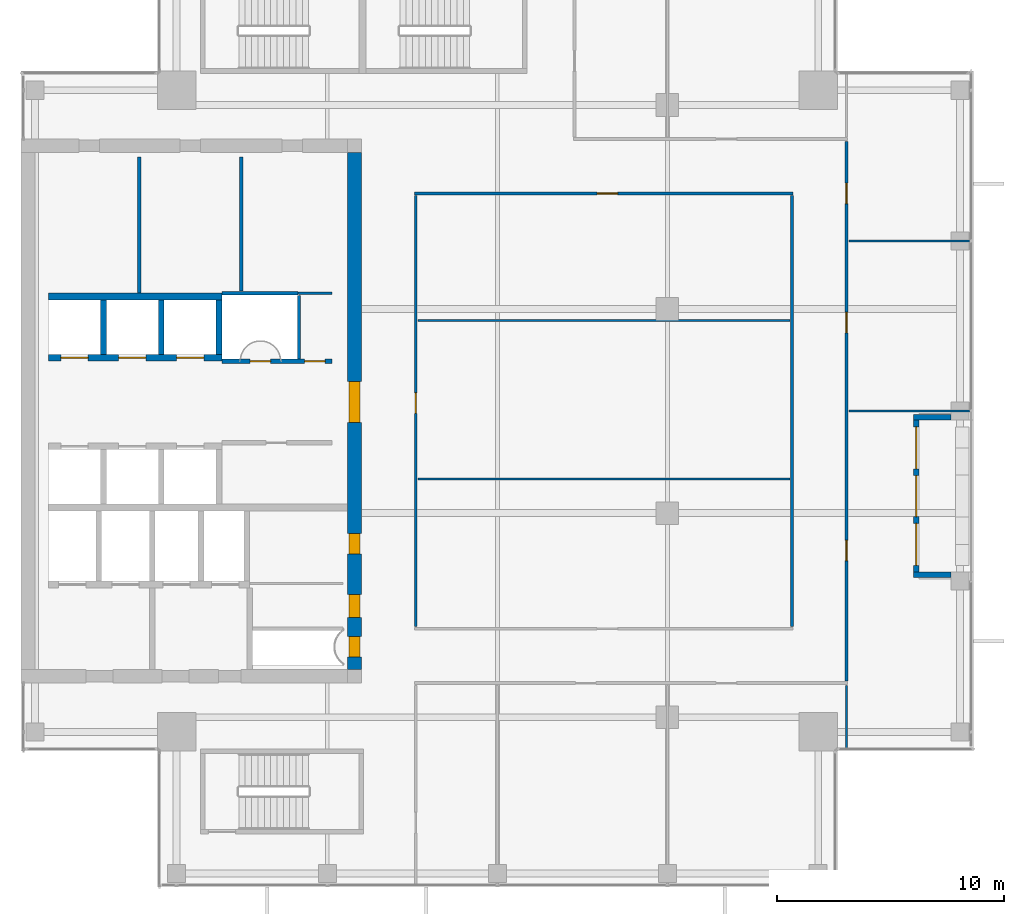
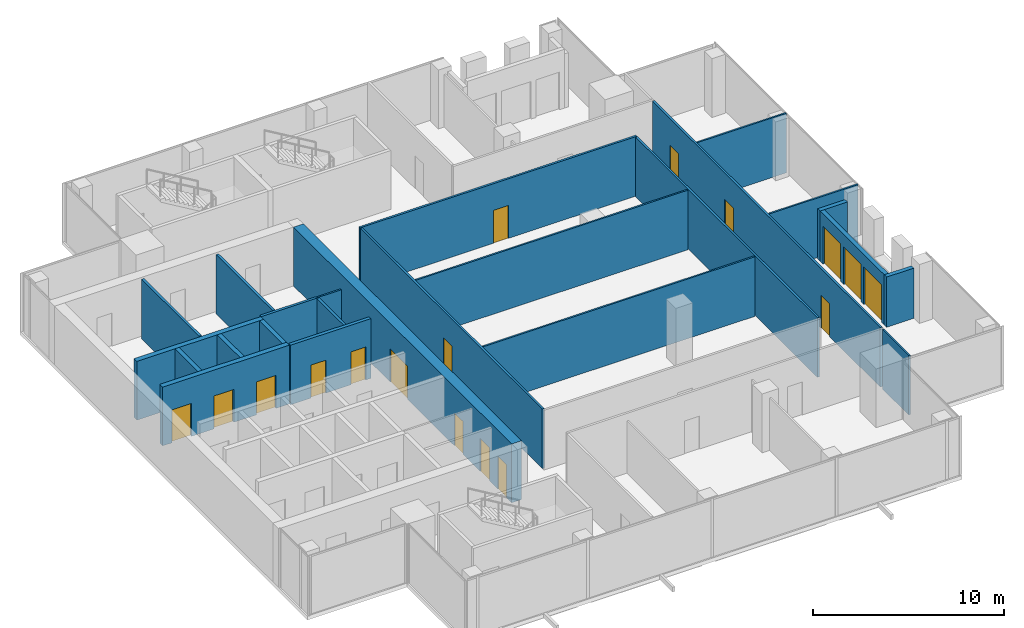
# One storey, part 25 of 29: 24 walls, 15 doors, 2 windows, 17 openings.
"""IFC4 building model written with IfcOpenShell, lengths in metres."""

from ifc_helpers import new_model, si_unit, direction, frame, frame_2d, origin, place, context, subcontext, project, spatial, rectangle, extrude, source, transform, mapped, material, layer, layer_set, type_object, element, fill, save


model = new_model("IFC4")

# Units and contexts
model_context = context("Model", 3, precision=1e-05, world=origin(), true_north=direction((0.0, 1.0)))
body_context = subcontext(model_context, "Body", "Model", "MODEL_VIEW")
ifc_project = project(units=[si_unit("LENGTHUNIT", "METRE"), si_unit("AREAUNIT", "SQUARE_METRE"), si_unit("VOLUMEUNIT", "CUBIC_METRE"), si_unit("PLANEANGLEUNIT", "RADIAN"), si_unit("MASSUNIT", "GRAM", prefix="KILO")], contexts=[model_context])

# Site, building, storey
site_placement = place(None, origin())
site = spatial("IfcSite", under=ifc_project, at=site_placement, CompositionType="ELEMENT")
building_placement = place(site_placement, origin())
building = spatial("IfcBuilding", under=site, at=building_placement, Name="Khomas Fold Tower", CompositionType="ELEMENT")
storey_placement = place(building_placement, frame((0.0, 0.0, 290.199951171875)))
storey = spatial("IfcBuildingStorey", under=building, at=storey_placement, Name="L65", CompositionType="ELEMENT", Elevation=290.199951171875)

# Walls
ifc_material_1 = material(Name="Concrete C50/60", Category="concrete")
ifc_layer_1 = layer(ifc_material_1, 0.25)
ifc_layer_set_1 = layer_set([ifc_layer_1], Name="Concrete C50/60")
wall_type_1 = type_object("IfcWallType", Name="Shaft wall 250", PredefinedType="STANDARD", material=ifc_layer_set_1)
shared_shape_1 = source(origin(), body_context, "Body", "SweptSolid", [
    extrude(rectangle(XDim=2.39990234375, YDim=0.25, at=frame_2d((1.199951171875, 0.0))), origin(), (0.0, 0.0, 1.0), 3.75),
])
for number, where, z_axis, x_axis, name in (
    (1, (9.625, 29.5, 0.0), (0.0, 0.0, 1.0), (0.0, 1.0, 0.0), "Core wall SW-HRN-P1"),
    (2, (12.175048828125, 29.5, 0.0), (0.0, 0.0, 1.0), (0.0, 1.0, 0.0), "Core wall SW-HRN-P2"),
    (3, (14.72509765625, 29.5, 0.0), (0.0, 0.0, 1.0), (0.0, 1.0, 0.0), "Core wall SW-HRN-PE"),
):
    element("IfcWall", number, at=place(storey_placement, frame(where, z_axis=z_axis, x_axis=x_axis)), inside=storey, type_object=wall_type_1, Name=name, PredefinedType="STANDARD", context=body_context, shape_type="MappedRepresentation", body=[
        mapped(shared_shape_1, transform((0.0, 0.0, 0.0))),
    ])

# Wall, openings, doors
ifc_material_2 = material(Name="Concrete C50/60", Category="concrete")
ifc_layer_2 = layer(ifc_material_2, 0.60009765625)
ifc_layer_set_2 = layer_set([ifc_layer_2], Name="Concrete C50/60")
wall_type_2 = type_object("IfcWallType", Name="Core wall 600", PredefinedType="SHEAR", material=ifc_layer_set_2)
shared_shape_2 = source(origin(), body_context, "Body", "SweptSolid", [
    extrude(rectangle(XDim=22.7998046875, YDim=0.60009765625, at=frame_2d((11.39990234375, 0.0))), origin(), (0.0, 0.0, 1.0), 3.75),
])
wall_1_placement = place(storey_placement, frame((20.699951171875, 15.60009765625, 0.0), z_axis=(0.0, 0.0, 1.0), x_axis=(0.0, 1.0, 0.0)))
wall_1 = element("IfcWall", 4, at=wall_1_placement, inside=storey, type_object=wall_type_2, Name="Core wall CW-U-E-L63", PredefinedType="SHEAR", context=body_context, shape_type="MappedRepresentation", body=[
    mapped(shared_shape_2, transform((0.0, 0.0, 0.0))),
])
shared_shape_3 = source(origin(), body_context, "Body", "SweptSolid", [
    extrude(rectangle(XDim=1.800048828125, YDim=2.10009765625, at=frame_2d((0.89990234375, 1.050048828125))), frame((0.0, 0.31005859375, 0.0), z_axis=(0.0, -1.0, 0.0), x_axis=(1.0, 0.0, 0.0)), (0.0, 0.0, 1.0), 0.6201171875),
])
opening_1_placement = place(wall_1_placement, frame((10.89990234375, 0.0, 0.0)))
opening_1 = element("IfcOpeningElement", 5, at=opening_1_placement, cuts=wall_1, Name="Opening 0015", PredefinedType="OPENING", context=body_context, shape_type="MappedRepresentation", body=[
    mapped(shared_shape_3, transform((0.0, 0.0, 0.0))),
])
shared_shape_4 = source(origin(), body_context, "Body", "SweptSolid", [
    extrude(rectangle(XDim=0.89990234375, YDim=2.10009765625, at=frame_2d((0.449951171875, 1.050048828125))), frame((0.0, 0.31005859375, 0.0), z_axis=(0.0, -1.0, 0.0), x_axis=(1.0, 0.0, 0.0)), (0.0, 0.0, 1.0), 0.6201171875),
])
opening_2_placement = place(wall_1_placement, frame((0.550048828125, 0.0, 0.0)))
opening_2 = element("IfcOpeningElement", 6, at=opening_2_placement, cuts=wall_1, Name="Opening 0003", PredefinedType="OPENING", context=body_context, shape_type="MappedRepresentation", body=[
    mapped(shared_shape_4, transform((0.0, 0.0, 0.0))),
])
shared_shape_5 = source(origin(), body_context, "Body", "SweptSolid", [
    extrude(rectangle(XDim=1.0, YDim=2.10009765625, at=frame_2d((0.5, 1.050048828125))), frame((0.0, 0.31005859375, 0.0), z_axis=(0.0, -1.0, 0.0), x_axis=(1.0, 0.0, 0.0)), (0.0, 0.0, 1.0), 0.6201171875),
])
opening_3_placement = place(wall_1_placement, frame((2.300048828125, 0.0, 0.0)))
opening_3 = element("IfcOpeningElement", 7, at=opening_3_placement, cuts=wall_1, Name="Opening 0006", PredefinedType="OPENING", context=body_context, shape_type="MappedRepresentation", body=[
    mapped(shared_shape_5, transform((0.0, 0.0, 0.0))),
])
opening_4_placement = place(wall_1_placement, frame((5.10009765625, 0.0, 0.0)))
opening_4 = element("IfcOpeningElement", 8, at=opening_4_placement, cuts=wall_1, Name="Opening 0008", PredefinedType="OPENING", context=body_context, shape_type="MappedRepresentation", body=[
    mapped(shared_shape_4, transform((0.0, 0.0, 0.0))),
])
ifc_material_3 = material(Name="Steel door leaf", Category="steel")
door_type_1 = type_object("IfcDoorType", Name="Lobby door 1800x2100", OperationType="DOUBLE_DOOR_SINGLE_SWING", PredefinedType="DOOR", material=ifc_material_3)
shared_shape_6 = source(origin(), body_context, "Body", "SweptSolid", [
    extrude(rectangle(XDim=1.800048828125, YDim=2.10009765625, at=frame_2d((0.89990234375, 1.050048828125))), frame((0.0, 0.25, 0.0), z_axis=(0.0, -1.0, 0.0), x_axis=(1.0, 0.0, 0.0)), (0.0, 0.0, 1.0), 0.5),
])
door_1_placement = place(opening_1_placement, origin())
door_1 = element("IfcDoor", 9, at=door_1_placement, inside=storey, type_object=door_type_1, Name="Lobby door", OperationType="DOUBLE_DOOR_SINGLE_SWING", OverallHeight=2.10009765625, OverallWidth=1.800048828125, PredefinedType="DOOR", context=body_context, shape_type="MappedRepresentation", body=[
    mapped(shared_shape_6, transform((0.0, 0.0, 0.0))),
])
fill(opening_1, door_1)
ifc_material_4 = material(Name="Steel door leaf", Category="steel")
door_type_2 = type_object("IfcDoorType", Name="Plant room door 900x2100 right-hand", OperationType="SINGLE_SWING_RIGHT", PredefinedType="DOOR", material=ifc_material_4)
shared_shape_7 = source(origin(), body_context, "Body", "SweptSolid", [
    extrude(rectangle(XDim=0.89990234375, YDim=2.10009765625, at=frame_2d((0.449951171875, 1.050048828125))), frame((0.0, 0.25, 0.0), z_axis=(0.0, -1.0, 0.0), x_axis=(1.0, 0.0, 0.0)), (0.0, 0.0, 1.0), 0.5),
])
door_2_placement = place(opening_2_placement, origin())
door_2 = element("IfcDoor", 10, at=door_2_placement, inside=storey, type_object=door_type_2, Name="Plant room door", OperationType="SINGLE_SWING_RIGHT", OverallHeight=2.10009765625, OverallWidth=0.89990234375, PredefinedType="DOOR", context=body_context, shape_type="MappedRepresentation", body=[
    mapped(shared_shape_7, transform((0.0, 0.0, 0.0))),
])
fill(opening_2, door_2)
ifc_material_5 = material(Name="Timber door leaf", Category="wood")
door_type_3 = type_object("IfcDoorType", Name="Door 900x2100 right-hand", OperationType="SINGLE_SWING_RIGHT", PredefinedType="DOOR", material=ifc_material_5)
door_3_placement = place(opening_4_placement, origin())
door_3 = element("IfcDoor", 11, at=door_3_placement, inside=storey, type_object=door_type_3, Name="Door", OperationType="SINGLE_SWING_RIGHT", OverallHeight=2.10009765625, OverallWidth=0.89990234375, PredefinedType="DOOR", context=body_context, shape_type="MappedRepresentation", body=[
    mapped(shared_shape_7, transform((0.0, 0.0, 0.0))),
])
fill(opening_4, door_3)
ifc_material_6 = material(Name="Timber door leaf", Category="wood")
door_type_4 = type_object("IfcDoorType", Name="WC door 1000x2100 right-hand", OperationType="SINGLE_SWING_RIGHT", PredefinedType="DOOR", material=ifc_material_6)
shared_shape_8 = source(origin(), body_context, "Body", "SweptSolid", [
    extrude(rectangle(XDim=1.0, YDim=2.10009765625, at=frame_2d((0.5, 1.050048828125))), frame((0.0, 0.25, 0.0), z_axis=(0.0, -1.0, 0.0), x_axis=(1.0, 0.0, 0.0)), (0.0, 0.0, 1.0), 0.5),
])
door_4_placement = place(opening_3_placement, origin())
door_4 = element("IfcDoor", 12, at=door_4_placement, inside=storey, type_object=door_type_4, Name="WC door", OperationType="SINGLE_SWING_RIGHT", OverallHeight=2.10009765625, OverallWidth=1.0, PredefinedType="DOOR", context=body_context, shape_type="MappedRepresentation", body=[
    mapped(shared_shape_8, transform((0.0, 0.0, 0.0))),
])
fill(opening_3, door_4)

# Wall
ifc_material_7 = material(Name="Concrete C50/60", Category="concrete")
ifc_layer_3 = layer(ifc_material_7, 0.300048828125)
ifc_layer_set_3 = layer_set([ifc_layer_3], Name="Concrete C50/60")
wall_type_3 = type_object("IfcWallType", Name="Shaft wall 300", PredefinedType="STANDARD", material=ifc_layer_set_3)
shared_shape_9 = source(origin(), body_context, "Body", "SweptSolid", [
    extrude(rectangle(XDim=7.650146484375, YDim=0.300048828125, at=frame_2d((3.8251953125, 0.0))), origin(), (0.0, 0.0, 1.0), 3.75),
])
wall_2_placement = place(storey_placement, frame((7.199951171875, 32.050048828125, 0.0), z_axis=(0.0, 0.0, 1.0), x_axis=(1.0, 0.0, 0.0)))
element("IfcWall", 13, at=wall_2_placement, inside=storey, type_object=wall_type_3, Name="Core wall SW-HRN-B", PredefinedType="STANDARD", context=body_context, shape_type="MappedRepresentation", body=[
    mapped(shared_shape_9, transform((0.0, 0.0, 0.0))),
])

# Wall, openings, doors
wall_3_placement = place(storey_placement, frame((7.199951171875, 29.35009765625, 0.0), z_axis=(0.0, 0.0, 1.0), x_axis=(1.0, 0.0, 0.0)))
wall_3 = element("IfcWall", 14, at=wall_3_placement, inside=storey, type_object=wall_type_3, Name="Core wall SW-HRN-F", PredefinedType="STANDARD", context=body_context, shape_type="MappedRepresentation", body=[
    mapped(shared_shape_9, transform((0.0, 0.0, 0.0))),
])
shared_shape_10 = source(origin(), body_context, "Body", "SweptSolid", [
    extrude(rectangle(XDim=1.199951171875, YDim=2.10009765625, at=frame_2d((0.60009765625, 1.050048828125))), frame((0.0, 0.159912109375, 0.0), z_axis=(0.0, -1.0, 0.0), x_axis=(1.0, 0.0, 0.0)), (0.0, 0.0, 1.0), 0.320068359375),
])
opening_5_placement = place(wall_3_placement, frame((0.550048828125, 0.0, 0.0)))
opening_5 = element("IfcOpeningElement", 15, at=opening_5_placement, cuts=wall_3, Name="Opening LD-HR4", PredefinedType="OPENING", context=body_context, shape_type="MappedRepresentation", body=[
    mapped(shared_shape_10, transform((0.0, 0.0, 0.0))),
])
opening_6_placement = place(wall_3_placement, frame((3.10009765625, 0.0, 0.0)))
opening_6 = element("IfcOpeningElement", 16, at=opening_6_placement, cuts=wall_3, Name="Opening LD-HR5", PredefinedType="OPENING", context=body_context, shape_type="MappedRepresentation", body=[
    mapped(shared_shape_10, transform((0.0, 0.0, 0.0))),
])
opening_7_placement = place(wall_3_placement, frame((5.64990234375, 0.0, 0.0)))
opening_7 = element("IfcOpeningElement", 17, at=opening_7_placement, cuts=wall_3, Name="Opening LD-HR6", PredefinedType="OPENING", context=body_context, shape_type="MappedRepresentation", body=[
    mapped(shared_shape_10, transform((0.0, 0.0, 0.0))),
])
ifc_material_8 = material(Name="Steel door leaf", Category="steel")
door_type_5 = type_object("IfcDoorType", Name="Landing door 1200x2100", OperationType="DOUBLE_DOOR_SLIDING", PredefinedType="DOOR", material=ifc_material_8)
shared_shape_11 = source(origin(), body_context, "Body", "SweptSolid", [
    extrude(rectangle(XDim=1.199951171875, YDim=2.10009765625, at=frame_2d((0.60009765625, 1.050048828125))), frame((0.0, 0.02490234375, 0.0), z_axis=(0.0, -1.0, 0.0), x_axis=(1.0, 0.0, 0.0)), (0.0, 0.0, 1.0), 0.050048828125),
])
door_5_placement = place(opening_5_placement, origin())
door_5 = element("IfcDoor", 18, at=door_5_placement, inside=storey, type_object=door_type_5, Name="Lift landing door", OperationType="DOUBLE_DOOR_SLIDING", OverallHeight=2.10009765625, OverallWidth=1.199951171875, PredefinedType="DOOR", context=body_context, shape_type="MappedRepresentation", body=[
    mapped(shared_shape_11, transform((0.0, 0.0, 0.0))),
])
fill(opening_5, door_5)
door_6_placement = place(opening_6_placement, origin())
door_6 = element("IfcDoor", 19, at=door_6_placement, inside=storey, type_object=door_type_5, Name="Lift landing door", OperationType="DOUBLE_DOOR_SLIDING", OverallHeight=2.10009765625, OverallWidth=1.199951171875, PredefinedType="DOOR", context=body_context, shape_type="MappedRepresentation", body=[
    mapped(shared_shape_11, transform((0.0, 0.0, 0.0))),
])
fill(opening_6, door_6)
door_7_placement = place(opening_7_placement, origin())
door_7 = element("IfcDoor", 20, at=door_7_placement, inside=storey, type_object=door_type_5, Name="Lift landing door", OperationType="DOUBLE_DOOR_SLIDING", OverallHeight=2.10009765625, OverallWidth=1.199951171875, PredefinedType="DOOR", context=body_context, shape_type="MappedRepresentation", body=[
    mapped(shared_shape_11, transform((0.0, 0.0, 0.0))),
])
fill(opening_7, door_7)

# Wall, openings, door, windows
ifc_material_9 = material(Name="Natural stone", Category="masonry")
ifc_layer_4 = layer(ifc_material_9, 0.0400390625)
ifc_material_10 = material(Name="Mineral wool insulation", Category="insulation")
ifc_layer_5 = layer(ifc_material_10, 0.10009765625)
ifc_material_11 = material(Name="Masonry", Category="masonry")
ifc_layer_6 = layer(ifc_material_11, 0.110107421875)
ifc_layer_set_4 = layer_set([ifc_layer_4, ifc_layer_5, ifc_layer_6], Name="Stone-faced insulated masonry")
wall_type_4 = type_object("IfcWallType", Name="BL-Balcony wall", PredefinedType="SOLIDWALL", material=ifc_layer_set_4)
shared_shape_12 = source(origin(), body_context, "Body", "SweptSolid", [
    extrude(rectangle(XDim=6.7001953125, YDim=0.25, at=frame_2d((3.35009765625, 0.0))), origin(), (0.0, 0.0, 1.0), 3.199951171875),
])
wall_4_placement = place(storey_placement, frame((45.47509765625, 19.89990234375, 0.0), z_axis=(0.0, 0.0, 1.0), x_axis=(0.0, 1.0, 0.0)))
wall_4 = element("IfcWall", 21, at=wall_4_placement, inside=storey, type_object=wall_type_4, Name="Balcony wall BAL-L65-E2", PredefinedType="SOLIDWALL", context=body_context, shape_type="MappedRepresentation", body=[
    mapped(shared_shape_12, transform((0.0, 0.0, 0.0))),
])
shared_shape_13 = source(origin(), body_context, "Body", "SweptSolid", [
    extrude(rectangle(XDim=1.85009765625, YDim=2.39990234375, at=frame_2d((0.925048828125, 1.199951171875))), frame((0.0, 0.135009765625, 0.0), z_axis=(0.0, -1.0, 0.0), x_axis=(1.0, 0.0, 0.0)), (0.0, 0.0, 1.0), 0.27001953125),
])
opening_8_placement = place(wall_4_placement, frame((0.300048828125, 0.0, 0.0)))
opening_8 = element("IfcOpeningElement", 22, at=opening_8_placement, cuts=wall_4, Name="Opening BL-W7", PredefinedType="OPENING", context=body_context, shape_type="MappedRepresentation", body=[
    mapped(shared_shape_13, transform((0.0, 0.0, 0.0))),
])
opening_9_placement = place(wall_4_placement, frame((4.550048828125, 0.0, 0.0)))
opening_9 = element("IfcOpeningElement", 23, at=opening_9_placement, cuts=wall_4, Name="Opening BL-W7", PredefinedType="OPENING", context=body_context, shape_type="MappedRepresentation", body=[
    mapped(shared_shape_13, transform((0.0, 0.0, 0.0))),
])
shared_shape_14 = source(origin(), body_context, "Body", "SweptSolid", [
    extrude(rectangle(XDim=1.800048828125, YDim=2.39990234375, at=frame_2d((0.89990234375, 1.199951171875))), frame((0.0, 0.135009765625, 0.0), z_axis=(0.0, -1.0, 0.0), x_axis=(1.0, 0.0, 0.0)), (0.0, 0.0, 1.0), 0.27001953125),
])
opening_10_placement = place(wall_4_placement, frame((2.449951171875, 0.0, 0.0)))
opening_10 = element("IfcOpeningElement", 24, at=opening_10_placement, cuts=wall_4, Name="Opening BD652", PredefinedType="OPENING", context=body_context, shape_type="MappedRepresentation", body=[
    mapped(shared_shape_14, transform((0.0, 0.0, 0.0))),
])
ifc_material_12 = material(Name="Aluminium framed double glazing", Category="aluminium")
door_type_6 = type_object("IfcDoorType", Name="BL-Glazed balcony door 1800 x 2400", OperationType="DOUBLE_DOOR_DOUBLE_SWING", PredefinedType="DOOR", material=ifc_material_12)
shared_shape_15 = source(origin(), body_context, "Body", "SweptSolid", [
    extrude(rectangle(XDim=1.800048828125, YDim=2.39990234375, at=frame_2d((0.89990234375, 1.199951171875))), frame((0.0, 0.02490234375, 0.0), z_axis=(0.0, -1.0, 0.0), x_axis=(1.0, 0.0, 0.0)), (0.0, 0.0, 1.0), 0.050048828125),
])
door_8_placement = place(opening_10_placement, origin())
door_8 = element("IfcDoor", 25, at=door_8_placement, inside=storey, type_object=door_type_6, Name="Balcony door BD652", OperationType="DOUBLE_DOOR_DOUBLE_SWING", OverallHeight=2.39990234375, OverallWidth=1.800048828125, PredefinedType="DOOR", context=body_context, shape_type="MappedRepresentation", body=[
    mapped(shared_shape_15, transform((0.0, 0.0, 0.0))),
])
fill(opening_10, door_8)
ifc_material_13 = material(Name="Aluminium framed double glazing", Category="aluminium")
window_type = type_object("IfcWindowType", Name="BL-Fixed glazing 1850 x 2400", PartitioningType="SINGLE_PANEL", PredefinedType="WINDOW", material=ifc_material_13)
shared_shape_16 = source(origin(), body_context, "Body", "SweptSolid", [
    extrude(rectangle(XDim=1.85009765625, YDim=2.39990234375, at=frame_2d((0.925048828125, 1.199951171875))), frame((0.0, 0.030029296875, 0.0), z_axis=(0.0, -1.0, 0.0), x_axis=(1.0, 0.0, 0.0)), (0.0, 0.0, 1.0), 0.06005859375),
])
window_1_placement = place(opening_8_placement, origin())
window_1 = element("IfcWindow", 26, at=window_1_placement, inside=storey, type_object=window_type, Name="Balcony glazing BAL-L65-E2-1", OverallHeight=2.39990234375, OverallWidth=1.85009765625, PartitioningType="SINGLE_PANEL", PredefinedType="WINDOW", context=body_context, shape_type="MappedRepresentation", body=[
    mapped(shared_shape_16, transform((0.0, 0.0, 0.0))),
])
fill(opening_8, window_1)
window_2_placement = place(opening_9_placement, origin())
window_2 = element("IfcWindow", 27, at=window_2_placement, inside=storey, type_object=window_type, Name="Balcony glazing BAL-L65-E2-2", OverallHeight=2.39990234375, OverallWidth=1.85009765625, PartitioningType="SINGLE_PANEL", PredefinedType="WINDOW", context=body_context, shape_type="MappedRepresentation", body=[
    mapped(shared_shape_16, transform((0.0, 0.0, 0.0))),
])
fill(opening_9, window_2)

# Walls
shared_shape_17 = source(origin(), body_context, "Body", "SweptSolid", [
    extrude(rectangle(XDim=1.64990234375, YDim=0.25, at=frame_2d((0.824951171875, 0.0))), origin(), (0.0, 0.0, 1.0), 3.199951171875),
])
for number, where, z_axis, x_axis, name in (
    (28, (47.0, 19.77490234375, 0.0), (0.0, 0.0, 1.0), (-1.0, 0.0, 0.0), "Balcony return wall BAL-L65-E2-lo"),
    (29, (47.0, 26.72509765625, 0.0), (0.0, 0.0, 1.0), (-1.0, 0.0, 0.0), "Balcony return wall BAL-L65-E2-hi"),
):
    element("IfcWall", number, at=place(storey_placement, frame(where, z_axis=z_axis, x_axis=x_axis)), inside=storey, type_object=wall_type_4, Name=name, PredefinedType="SOLIDWALL", context=body_context, shape_type="MappedRepresentation", body=[
        mapped(shared_shape_17, transform((0.0, 0.0, 0.0))),
    ])
ifc_material_14 = material(Name="Plasterboard fire partition")
ifc_layer_7 = layer(ifc_material_14, 0.14990234375)
ifc_layer_set_5 = layer_set([ifc_layer_7], Name="Plasterboard fire partition")
wall_type_5 = type_object("IfcWallType", Name="Plant room wall PW3 150", PredefinedType="PARTITIONING", material=ifc_layer_set_5)
shared_shape_18 = source(origin(), body_context, "Body", "SweptSolid", [
    extrude(rectangle(XDim=6.0, YDim=0.14990234375, at=frame_2d((3.0, 0.0))), origin(), (0.0, 0.0, 1.0), 3.800048828125),
])
wall_5_placement = place(storey_placement, frame((11.199951171875, 32.199951171875, 0.0), z_axis=(0.0, 0.0, 1.0), x_axis=(0.0, 1.0, 0.0)))
element("IfcWall", 30, at=wall_5_placement, inside=storey, type_object=wall_type_5, Name="Plant room wall", PredefinedType="PARTITIONING", context=body_context, shape_type="MappedRepresentation", body=[
    mapped(shared_shape_18, transform((0.0, 0.0, 0.0))),
])

# Wall, opening, door
ifc_material_15 = material(Name="Plasterboard partition")
ifc_layer_8 = layer(ifc_material_15, 0.125)
ifc_layer_set_6 = layer_set([ifc_layer_8], Name="Plasterboard partition")
wall_type_6 = type_object("IfcWallType", Name="Partition PW2 125", PredefinedType="PARTITIONING", material=ifc_layer_set_6)
shared_shape_19 = source(origin(), body_context, "Body", "SweptSolid", [
    extrude(rectangle(XDim=19.0, YDim=0.125, at=frame_2d((9.5, 0.0))), origin(), (0.0, 0.0, 1.0), 3.800048828125),
])
wall_6_placement = place(storey_placement, frame((23.39990234375, 17.5, 0.0), z_axis=(0.0, 0.0, 1.0), x_axis=(0.0, 1.0, 0.0)))
wall_6 = element("IfcWall", 31, at=wall_6_placement, inside=storey, type_object=wall_type_6, Name="Partition", PredefinedType="PARTITIONING", context=body_context, shape_type="MappedRepresentation", body=[
    mapped(shared_shape_19, transform((0.0, 0.0, 0.0))),
])
shared_shape_20 = source(origin(), body_context, "Body", "SweptSolid", [
    extrude(rectangle(XDim=0.89990234375, YDim=2.10009765625, at=frame_2d((0.449951171875, 1.050048828125))), frame((0.0, 0.072509765625, 0.0), z_axis=(0.0, -1.0, 0.0), x_axis=(1.0, 0.0, 0.0)), (0.0, 0.0, 1.0), 0.14501953125),
])
opening_11_placement = place(wall_6_placement, frame((9.39990234375, 0.0, 0.0)))
opening_11 = element("IfcOpeningElement", 32, at=opening_11_placement, cuts=wall_6, Name="Opening 0007", PredefinedType="OPENING", context=body_context, shape_type="MappedRepresentation", body=[
    mapped(shared_shape_20, transform((0.0, 0.0, 0.0))),
])
ifc_material_16 = material(Name="Timber door leaf", Category="wood")
door_type_7 = type_object("IfcDoorType", Name="Door 900x2100 left-hand", OperationType="SINGLE_SWING_LEFT", PredefinedType="DOOR", material=ifc_material_16)
shared_shape_21 = source(origin(), body_context, "Body", "SweptSolid", [
    extrude(rectangle(XDim=0.89990234375, YDim=2.10009765625, at=frame_2d((0.449951171875, 1.050048828125))), frame((0.0, 0.02490234375, 0.0), z_axis=(0.0, -1.0, 0.0), x_axis=(1.0, 0.0, 0.0)), (0.0, 0.0, 1.0), 0.050048828125),
])
door_9_placement = place(opening_11_placement, origin())
door_9 = element("IfcDoor", 33, at=door_9_placement, inside=storey, type_object=door_type_7, Name="Door", OperationType="SINGLE_SWING_LEFT", OverallHeight=2.10009765625, OverallWidth=0.89990234375, PredefinedType="DOOR", context=body_context, shape_type="MappedRepresentation", body=[
    mapped(shared_shape_21, transform((0.0, 0.0, 0.0))),
])
fill(opening_11, door_9)

# Wall
wall_7_placement = place(storey_placement, frame((40.0, 17.5, 0.0), z_axis=(0.0, 0.0, 1.0), x_axis=(0.0, 1.0, 0.0)))
element("IfcWall", 34, at=wall_7_placement, inside=storey, type_object=wall_type_6, Name="Partition", PredefinedType="PARTITIONING", context=body_context, shape_type="MappedRepresentation", body=[
    mapped(shared_shape_19, transform((0.0, 0.0, 0.0))),
])

# Wall, openings, doors
ifc_material_17 = material(Name="Concrete C30/37", Category="concrete")
ifc_layer_9 = layer(ifc_material_17, 0.199951171875)
ifc_layer_set_7 = layer_set([ifc_layer_9], Name="Concrete C30/37")
wall_type_7 = type_object("IfcWallType", Name="Lobby wall PW4 200", PredefinedType="PARTITIONING", material=ifc_layer_set_7)
shared_shape_22 = source(origin(), body_context, "Body", "SweptSolid", [
    extrude(rectangle(XDim=4.849853515625, YDim=0.199951171875, at=frame_2d((2.4248046875, 0.0))), origin(), (0.0, 0.0, 1.0), 3.800048828125),
])
wall_8_placement = place(storey_placement, frame((14.85009765625, 29.199951171875, 0.0), z_axis=(0.0, 0.0, 1.0), x_axis=(1.0, 0.0, 0.0)))
wall_8 = element("IfcWall", 35, at=wall_8_placement, inside=storey, type_object=wall_type_7, Name="Lobby wall", PredefinedType="PARTITIONING", context=body_context, shape_type="MappedRepresentation", body=[
    mapped(shared_shape_22, transform((0.0, 0.0, 0.0))),
])
shared_shape_23 = source(origin(), body_context, "Body", "SweptSolid", [
    extrude(rectangle(XDim=0.89990234375, YDim=2.10009765625, at=frame_2d((0.449951171875, 1.050048828125))), frame((0.0, 0.10986328125, 0.0), z_axis=(0.0, -1.0, 0.0), x_axis=(1.0, 0.0, 0.0)), (0.0, 0.0, 1.0), 0.219970703125),
])
opening_12_placement = place(wall_8_placement, frame((1.25, 0.0, 0.0)))
opening_12 = element("IfcOpeningElement", 36, at=opening_12_placement, cuts=wall_8, Name="Opening 0003", PredefinedType="OPENING", context=body_context, shape_type="MappedRepresentation", body=[
    mapped(shared_shape_23, transform((0.0, 0.0, 0.0))),
])
opening_13_placement = place(wall_8_placement, frame((3.64990234375, 0.0, 0.0)))
opening_13 = element("IfcOpeningElement", 37, at=opening_13_placement, cuts=wall_8, Name="Opening 0021", PredefinedType="OPENING", context=body_context, shape_type="MappedRepresentation", body=[
    mapped(shared_shape_23, transform((0.0, 0.0, 0.0))),
])
door_10_placement = place(opening_12_placement, origin())
door_10 = element("IfcDoor", 38, at=door_10_placement, inside=storey, type_object=door_type_2, Name="Plant room door", OperationType="SINGLE_SWING_RIGHT", OverallHeight=2.10009765625, OverallWidth=0.89990234375, PredefinedType="DOOR", context=body_context, shape_type="MappedRepresentation", body=[
    mapped(shared_shape_21, transform((0.0, 0.0, 0.0))),
])
fill(opening_12, door_10)
ifc_material_18 = material(Name="Steel door leaf", Category="steel")
door_type_8 = type_object("IfcDoorType", Name="Lobby door 900x2100 left-hand", OperationType="SINGLE_SWING_LEFT", PredefinedType="DOOR", material=ifc_material_18)
door_11_placement = place(opening_13_placement, origin())
door_11 = element("IfcDoor", 39, at=door_11_placement, inside=storey, type_object=door_type_8, Name="Lobby door", OperationType="SINGLE_SWING_LEFT", OverallHeight=2.10009765625, OverallWidth=0.89990234375, PredefinedType="DOOR", context=body_context, shape_type="MappedRepresentation", body=[
    mapped(shared_shape_21, transform((0.0, 0.0, 0.0))),
])
fill(opening_13, door_11)

# Walls
shared_shape_24 = source(origin(), body_context, "Body", "SweptSolid", [
    extrude(rectangle(XDim=2.800048828125, YDim=0.14990234375, at=frame_2d((1.39990234375, 0.0))), origin(), (0.0, 0.0, 1.0), 3.800048828125),
])
wall_9_placement = place(storey_placement, frame((18.25, 29.300048828125, 0.0), z_axis=(0.0, 0.0, 1.0), x_axis=(0.0, 1.0, 0.0)))
element("IfcWall", 40, at=wall_9_placement, inside=storey, type_object=wall_type_5, Name="Plant room wall", PredefinedType="PARTITIONING", context=body_context, shape_type="MappedRepresentation", body=[
    mapped(shared_shape_24, transform((0.0, 0.0, 0.0))),
])
ifc_material_19 = material(Name="Plasterboard partition")
ifc_layer_10 = layer(ifc_material_19, 0.10009765625)
ifc_layer_set_8 = layer_set([ifc_layer_10], Name="Plasterboard partition")
wall_type_8 = type_object("IfcWallType", Name="Partition PW1 100", PredefinedType="PARTITIONING", material=ifc_layer_set_8)
shared_shape_25 = source(origin(), body_context, "Body", "SweptSolid", [
    extrude(rectangle(XDim=2.75, YDim=0.10009765625, at=frame_2d((1.375, 0.0))), origin(), (0.0, 0.0, 1.0), 3.800048828125),
])
wall_10_placement = place(storey_placement, frame((42.39990234375, 12.14990234375, 0.0), z_axis=(0.0, 0.0, 1.0), x_axis=(0.0, 1.0, 0.0)))
element("IfcWall", 41, at=wall_10_placement, inside=storey, type_object=wall_type_8, Name="Partition", PredefinedType="PARTITIONING", context=body_context, shape_type="MappedRepresentation", body=[
    mapped(shared_shape_25, transform((0.0, 0.0, 0.0))),
])

# Wall, openings, doors
shared_shape_26 = source(origin(), body_context, "Body", "SweptSolid", [
    extrude(rectangle(XDim=23.7998046875, YDim=0.125, at=frame_2d((11.89990234375, 0.0))), origin(), (0.0, 0.0, 1.0), 3.800048828125),
])
wall_11_placement = place(storey_placement, frame((42.39990234375, 15.10009765625, 0.0), z_axis=(0.0, 0.0, 1.0), x_axis=(0.0, 1.0, 0.0)))
wall_11 = element("IfcWall", 42, at=wall_11_placement, inside=storey, type_object=wall_type_6, Name="Partition", PredefinedType="PARTITIONING", context=body_context, shape_type="MappedRepresentation", body=[
    mapped(shared_shape_26, transform((0.0, 0.0, 0.0))),
])
opening_14_placement = place(wall_11_placement, frame((5.300048828125, 0.0, 0.0)))
opening_14 = element("IfcOpeningElement", 43, at=opening_14_placement, cuts=wall_11, Name="Opening 0007", PredefinedType="OPENING", context=body_context, shape_type="MappedRepresentation", body=[
    mapped(shared_shape_20, transform((0.0, 0.0, 0.0))),
])
opening_15_placement = place(wall_11_placement, frame((15.35009765625, 0.0, 0.0)))
opening_15 = element("IfcOpeningElement", 44, at=opening_15_placement, cuts=wall_11, Name="Opening 0008", PredefinedType="OPENING", context=body_context, shape_type="MappedRepresentation", body=[
    mapped(shared_shape_20, transform((0.0, 0.0, 0.0))),
])
opening_16_placement = place(wall_11_placement, frame((21.050048828125, 0.0, 0.0)))
opening_16 = element("IfcOpeningElement", 45, at=opening_16_placement, cuts=wall_11, Name="Opening 0007", PredefinedType="OPENING", context=body_context, shape_type="MappedRepresentation", body=[
    mapped(shared_shape_20, transform((0.0, 0.0, 0.0))),
])
door_12_placement = place(opening_14_placement, origin())
door_12 = element("IfcDoor", 46, at=door_12_placement, inside=storey, type_object=door_type_7, Name="Door", OperationType="SINGLE_SWING_LEFT", OverallHeight=2.10009765625, OverallWidth=0.89990234375, PredefinedType="DOOR", context=body_context, shape_type="MappedRepresentation", body=[
    mapped(shared_shape_21, transform((0.0, 0.0, 0.0))),
])
fill(opening_14, door_12)
door_13_placement = place(opening_15_placement, origin())
door_13 = element("IfcDoor", 47, at=door_13_placement, inside=storey, type_object=door_type_3, Name="Door", OperationType="SINGLE_SWING_RIGHT", OverallHeight=2.10009765625, OverallWidth=0.89990234375, PredefinedType="DOOR", context=body_context, shape_type="MappedRepresentation", body=[
    mapped(shared_shape_21, transform((0.0, 0.0, 0.0))),
])
fill(opening_15, door_13)
door_14_placement = place(opening_16_placement, origin())
door_14 = element("IfcDoor", 48, at=door_14_placement, inside=storey, type_object=door_type_7, Name="Door", OperationType="SINGLE_SWING_LEFT", OverallHeight=2.10009765625, OverallWidth=0.89990234375, PredefinedType="DOOR", context=body_context, shape_type="MappedRepresentation", body=[
    mapped(shared_shape_21, transform((0.0, 0.0, 0.0))),
])
fill(opening_16, door_14)

# Wall, opening, door
shared_shape_27 = source(origin(), body_context, "Body", "SweptSolid", [
    extrude(rectangle(XDim=16.699951171875, YDim=0.125, at=frame_2d((8.35009765625, 0.0))), origin(), (0.0, 0.0, 1.0), 3.800048828125),
])
wall_12_placement = place(storey_placement, frame((23.35009765625, 36.60009765625, 0.0), z_axis=(0.0, 0.0, 1.0), x_axis=(1.0, 0.0, 0.0)))
wall_12 = element("IfcWall", 49, at=wall_12_placement, inside=storey, type_object=wall_type_6, Name="Partition", PredefinedType="PARTITIONING", context=body_context, shape_type="MappedRepresentation", body=[
    mapped(shared_shape_27, transform((0.0, 0.0, 0.0))),
])
opening_17_placement = place(wall_12_placement, frame((8.050048828125, 0.0, 0.0)))
opening_17 = element("IfcOpeningElement", 50, at=opening_17_placement, cuts=wall_12, Name="Opening 0008", PredefinedType="OPENING", context=body_context, shape_type="MappedRepresentation", body=[
    mapped(shared_shape_20, transform((0.0, 0.0, 0.0))),
])
door_15_placement = place(opening_17_placement, origin())
door_15 = element("IfcDoor", 51, at=door_15_placement, inside=storey, type_object=door_type_3, Name="Door", OperationType="SINGLE_SWING_RIGHT", OverallHeight=2.10009765625, OverallWidth=0.89990234375, PredefinedType="DOOR", context=body_context, shape_type="MappedRepresentation", body=[
    mapped(shared_shape_21, transform((0.0, 0.0, 0.0))),
])
fill(opening_17, door_15)

# Walls
shared_shape_28 = source(origin(), body_context, "Body", "SweptSolid", [
    extrude(rectangle(XDim=16.39990234375, YDim=0.10009765625, at=frame_2d((8.199951171875, 0.0))), origin(), (0.0, 0.0, 1.0), 3.800048828125),
])
for number, where, z_axis, x_axis, name in (
    (52, (23.5, 24.0, 0.0), (0.0, 0.0, 1.0), (1.0, 0.0, 0.0), "Partition"),
    (53, (23.5, 31.0, 0.0), (0.0, 0.0, 1.0), (1.0, 0.0, 0.0), "Partition"),
):
    element("IfcWall", number, at=place(storey_placement, frame(where, z_axis=z_axis, x_axis=x_axis)), inside=storey, type_object=wall_type_8, Name=name, PredefinedType="PARTITIONING", context=body_context, shape_type="MappedRepresentation", body=[
        mapped(shared_shape_28, transform((0.0, 0.0, 0.0))),
    ])
shared_shape_29 = source(origin(), body_context, "Body", "SweptSolid", [
    extrude(rectangle(XDim=5.35009765625, YDim=0.10009765625, at=frame_2d((2.675048828125, 0.0))), origin(), (0.0, 0.0, 1.0), 3.800048828125),
])
for number, where, z_axis, x_axis, name in (
    (54, (42.5, 27.0, 0.0), (0.0, 0.0, 1.0), (1.0, 0.0, 0.0), "Partition"),
    (55, (42.5, 34.5, 0.0), (0.0, 0.0, 1.0), (1.0, 0.0, 0.0), "Partition"),
):
    element("IfcWall", number, at=place(storey_placement, frame(where, z_axis=z_axis, x_axis=x_axis)), inside=storey, type_object=wall_type_8, Name=name, PredefinedType="PARTITIONING", context=body_context, shape_type="MappedRepresentation", body=[
        mapped(shared_shape_29, transform((0.0, 0.0, 0.0))),
    ])
shared_shape_30 = source(origin(), body_context, "Body", "SweptSolid", [
    extrude(rectangle(XDim=3.349853515625, YDim=0.14990234375, at=frame_2d((1.6748046875, 0.0))), origin(), (0.0, 0.0, 1.0), 3.800048828125),
])
wall_13_placement = place(storey_placement, frame((14.85009765625, 32.199951171875, 0.0), z_axis=(0.0, 0.0, 1.0), x_axis=(1.0, 0.0, 0.0)))
element("IfcWall", 56, at=wall_13_placement, inside=storey, type_object=wall_type_5, Name="Plant room wall", PredefinedType="PARTITIONING", context=body_context, shape_type="MappedRepresentation", body=[
    mapped(shared_shape_30, transform((0.0, 0.0, 0.0))),
])
shared_shape_31 = source(origin(), body_context, "Body", "SweptSolid", [
    extrude(rectangle(XDim=1.5, YDim=0.10009765625, at=frame_2d((0.75, 0.0))), origin(), (0.0, 0.0, 1.0), 3.800048828125),
])
wall_14_placement = place(storey_placement, frame((18.199951171875, 32.199951171875, 0.0), z_axis=(0.0, 0.0, 1.0), x_axis=(1.0, 0.0, 0.0)))
element("IfcWall", 57, at=wall_14_placement, inside=storey, type_object=wall_type_8, Name="Partition", PredefinedType="PARTITIONING", context=body_context, shape_type="MappedRepresentation", body=[
    mapped(shared_shape_31, transform((0.0, 0.0, 0.0))),
])
shared_shape_32 = source(origin(), body_context, "Body", "SweptSolid", [
    extrude(rectangle(XDim=5.89990234375, YDim=0.14990234375, at=frame_2d((2.949951171875, 0.0))), origin(), (0.0, 0.0, 1.0), 3.800048828125),
])
wall_15_placement = place(storey_placement, frame((15.699951171875, 32.300048828125, 0.0), z_axis=(0.0, 0.0, 1.0), x_axis=(0.0, 1.0, 0.0)))
element("IfcWall", 58, at=wall_15_placement, inside=storey, type_object=wall_type_5, Name="Plant room wall", PredefinedType="PARTITIONING", context=body_context, shape_type="MappedRepresentation", body=[
    mapped(shared_shape_32, transform((0.0, 0.0, 0.0))),
])

save(model, "model.ifc")
